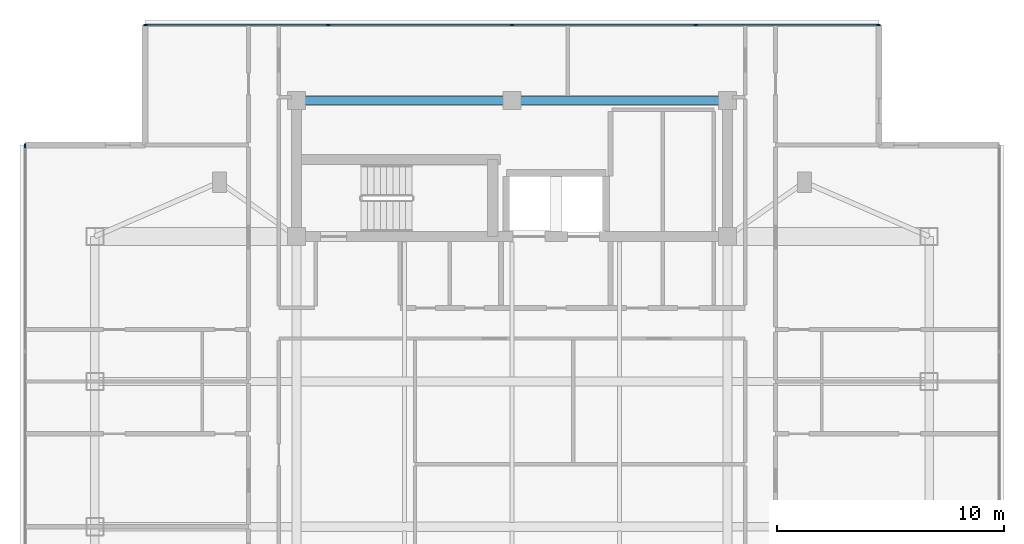
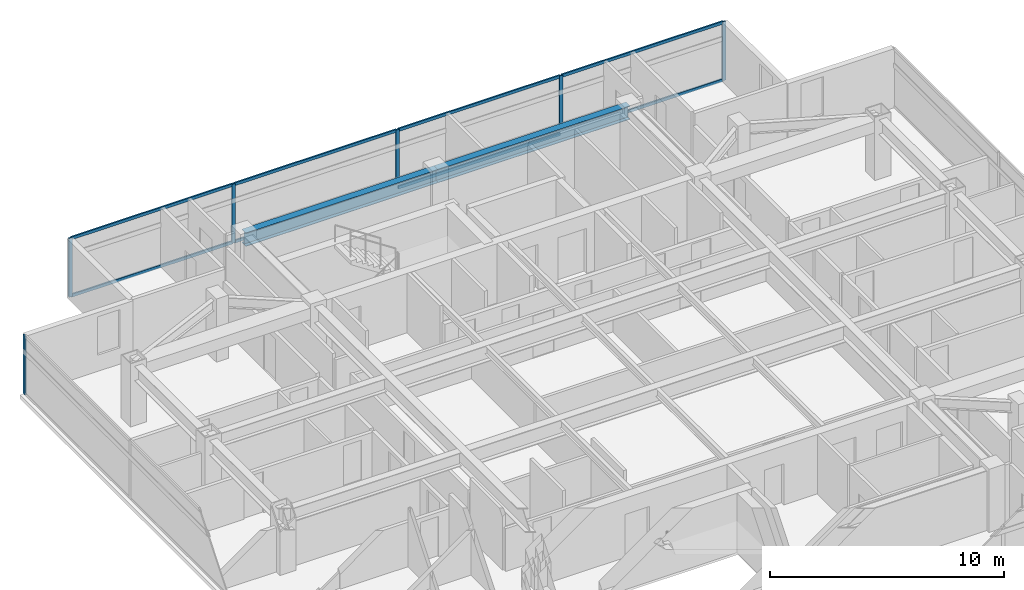
# One storey, part 5 of 14: 14 members, 2 beams, 2 elements without a shape of their own.
"""IFC4 building model written with IfcOpenShell, lengths in metres."""

from ifc_helpers import new_model, si_unit, direction, frame, origin, origin_2d, place, context, subcontext, project, spatial, rectangle, i_section, extrude, material, material_profile, profile_set, type_object, element, aggregate, save


model = new_model("IFC4")

# Units and contexts
model_context = context("Model", 3, precision=1e-05, world=origin(), true_north=direction((0.0, 1.0)))
body_context = subcontext(model_context, "Body", "Model", "MODEL_VIEW")
ifc_project = project(units=[si_unit("LENGTHUNIT", "METRE"), si_unit("AREAUNIT", "SQUARE_METRE"), si_unit("VOLUMEUNIT", "CUBIC_METRE"), si_unit("PLANEANGLEUNIT", "RADIAN"), si_unit("MASSUNIT", "GRAM", prefix="KILO")], contexts=[model_context])

# Site, building, storey
site_placement = place(None, origin())
site = spatial("IfcSite", under=ifc_project, at=site_placement, CompositionType="ELEMENT")
building_placement = place(site_placement, origin())
building = spatial("IfcBuilding", under=site, at=building_placement, Name="Mirazonda Arch Towers", CompositionType="ELEMENT")
storey_placement = place(building_placement, frame((0.0, 0.0, 235.89990234375)))
storey = spatial("IfcBuildingStorey", under=building, at=storey_placement, Name="L67", CompositionType="ELEMENT", Elevation=235.89990234375)

# Beams
ifc_material_1 = material(Name="Steel ASTM A992 Grade 50", Category="steel")
ifc_material_profile_1 = material_profile(ifc_material_1, i_section(OverallWidth=0.35498046875, OverallDepth=0.696044921875, WebThickness=0.015380859375, FlangeThickness=0.02490234375, at=origin_2d()), Name="W27X146")
ifc_profile_set_1 = profile_set([ifc_material_profile_1], Name="Steel ASTM A992 Grade 50")
beam_type = type_object("IfcBeamType", Name="BM-INT-W27X146", PredefinedType="BEAM", material=ifc_profile_set_1)
for number, where, z_axis, x_axis, name in (
    (1, (11.0, 43.60009765625, 2.752197265625), (1.0, 0.0, 0.0), (0.0, 1.0, 0.0), "L67 Floor Beam BM-T1-L67-CN1"),
    (2, (20.5, 43.60009765625, 2.752197265625), (1.0, 0.0, 0.0), (0.0, 1.0, 0.0), "L67 Floor Beam BM-T1-L67-CN2"),
):
    element("IfcBeam", number, at=place(storey_placement, frame(where, z_axis=z_axis, x_axis=x_axis)), inside=storey, type_object=beam_type, Name=name, PredefinedType="BEAM", context=body_context, shape_type="SweptSolid", body=[
        extrude(i_section(OverallWidth=0.35498046875, OverallDepth=0.696044921875, WebThickness=0.015380859375, FlangeThickness=0.02490234375, at=origin_2d()), origin(), (0.0, 0.0, 1.0), 9.5),
    ])

# Curtain wall, members
ifc_material_2 = material(Name="Anodised Aluminium and Low-E Glass", Category="aluminium")
curtain_wall_type = type_object("IfcCurtainWallType", Name="CW-RES-UNIT", PredefinedType="NOTDEFINED", material=ifc_material_2)
curtain_wall_1_placement = place(storey_placement, origin())
curtain_wall_1 = element("IfcCurtainWall", 3, at=curtain_wall_1_placement, inside=storey, type_object=curtain_wall_type, Name="L67 T1 N Facade CW-L67-T1-N", PredefinedType="NOTDEFINED")
ifc_material_3 = material(Name="Anodised Aluminium Alloy", Category="aluminium")
ifc_material_profile_2 = material_profile(ifc_material_3, rectangle(XDim=0.074951171875, YDim=0.175048828125, at=origin_2d()), Name="ALU-MULL-75x175")
ifc_profile_set_2 = profile_set([ifc_material_profile_2], Name="Anodised Aluminium Alloy")
member_type_1 = type_object("IfcMemberType", Name="MULL-CW-RES-UNIT", PredefinedType="MULLION", material=ifc_profile_set_2)
member_1_placement = place(storey_placement, frame((4.347412109375, 46.929931640625, 0.0), z_axis=(0.0, 0.0, 1.0), x_axis=(0.0, 1.0, 0.0)))
member_1 = element("IfcMember", 4, at=member_1_placement, type_object=member_type_1, Name="CW-104 mullion 1", PredefinedType="MULLION", context=body_context, shape_type="SweptSolid", body=[
    extrude(rectangle(XDim=0.074951171875, YDim=0.175048828125, at=origin_2d()), origin(), (0.0, 0.0, 1.0), 3.080078125),
])
member_2_placement = place(storey_placement, frame((12.405029296875, 46.929931640625, 0.0), z_axis=(0.0, 0.0, 1.0), x_axis=(0.0, 1.0, 0.0)))
member_2 = element("IfcMember", 5, at=member_2_placement, type_object=member_type_1, Name="CW-104 mullion 2", PredefinedType="MULLION", context=body_context, shape_type="SweptSolid", body=[
    extrude(rectangle(XDim=0.074951171875, YDim=0.175048828125, at=origin_2d()), origin(), (0.0, 0.0, 1.0), 3.080078125),
])
member_3_placement = place(storey_placement, frame((20.5, 46.929931640625, 0.0), z_axis=(0.0, 0.0, 1.0), x_axis=(0.0, 1.0, 0.0)))
member_3 = element("IfcMember", 6, at=member_3_placement, type_object=member_type_1, Name="CW-104 mullion 3", PredefinedType="MULLION", context=body_context, shape_type="SweptSolid", body=[
    extrude(rectangle(XDim=0.074951171875, YDim=0.175048828125, at=origin_2d()), origin(), (0.0, 0.0, 1.0), 3.080078125),
])
member_4_placement = place(storey_placement, frame((28.594970703125, 46.929931640625, 0.0), z_axis=(0.0, 0.0, 1.0), x_axis=(0.0, 1.0, 0.0)))
member_4 = element("IfcMember", 7, at=member_4_placement, type_object=member_type_1, Name="CW-104 mullion 4", PredefinedType="MULLION", context=body_context, shape_type="SweptSolid", body=[
    extrude(rectangle(XDim=0.074951171875, YDim=0.175048828125, at=origin_2d()), origin(), (0.0, 0.0, 1.0), 3.080078125),
])
member_5_placement = place(storey_placement, frame((36.652587890625, 46.929931640625, 0.0), z_axis=(0.0, 0.0, 1.0), x_axis=(0.0, 1.0, 0.0)))
member_5 = element("IfcMember", 8, at=member_5_placement, type_object=member_type_1, Name="CW-104 mullion 5", PredefinedType="MULLION", context=body_context, shape_type="SweptSolid", body=[
    extrude(rectangle(XDim=0.074951171875, YDim=0.175048828125, at=origin_2d()), origin(), (0.0, 0.0, 1.0), 3.080078125),
])

# Curtain wall, member
curtain_wall_2_placement = place(storey_placement, origin())
curtain_wall_2 = element("IfcCurtainWall", 9, at=curtain_wall_2_placement, inside=storey, type_object=curtain_wall_type, Name="L67 T1 W Facade CW-L67-T1-W", PredefinedType="NOTDEFINED")
member_6_placement = place(storey_placement, frame((-0.97998046875, 41.6025390625, 0.0), z_axis=(0.0, 0.0, 1.0), x_axis=(1.0, 0.0, 0.0)))
member_6 = element("IfcMember", 10, at=member_6_placement, type_object=member_type_1, Name="CW-104 mullion 1", PredefinedType="MULLION", context=body_context, shape_type="SweptSolid", body=[
    extrude(rectangle(XDim=0.074951171875, YDim=0.175048828125, at=origin_2d()), origin(), (0.0, 0.0, 1.0), 3.080078125),
])
aggregate(curtain_wall_2, [member_6])

# Member
ifc_material_profile_3 = material_profile(ifc_material_3, rectangle(XDim=0.074951171875, YDim=0.155029296875, at=origin_2d()), Name="ALU-TRAN-75x155")
ifc_profile_set_3 = profile_set([ifc_material_profile_3], Name="Anodised Aluminium Alloy")
member_type_2 = type_object("IfcMemberType", Name="TRAN-CW-RES-UNIT", PredefinedType="USERDEFINED", material=ifc_profile_set_3)
member_7_placement = place(storey_placement, frame((4.385009765625, 46.929931640625, 0.03759765625), z_axis=(1.0, 0.0, 0.0), x_axis=(0.0, 1.0, 0.0)))
member_7 = element("IfcMember", 11, at=member_7_placement, type_object=member_type_2, Name="CW-104 transom 1.1", ObjectType="TRANSOM", PredefinedType="USERDEFINED", context=body_context, shape_type="SweptSolid", body=[
    extrude(rectangle(XDim=0.074951171875, YDim=0.155029296875, at=origin_2d()), origin(), (0.0, 0.0, 1.0), 7.982421875),
])

member_8_placement = place(storey_placement, frame((4.385009765625, 46.929931640625, 3.04248046875), z_axis=(1.0, 0.0, 0.0), x_axis=(0.0, 1.0, 0.0)))
member_8 = element("IfcMember", 12, at=member_8_placement, type_object=member_type_2, Name="CW-104 transom 1.2", ObjectType="TRANSOM", PredefinedType="USERDEFINED", context=body_context, shape_type="SweptSolid", body=[
    extrude(rectangle(XDim=0.074951171875, YDim=0.155029296875, at=origin_2d()), origin(), (0.0, 0.0, 1.0), 7.982421875),
])

member_9_placement = place(storey_placement, frame((12.4423828125, 46.929931640625, 0.03759765625), z_axis=(1.0, 0.0, 0.0), x_axis=(0.0, 1.0, 0.0)))
member_9 = element("IfcMember", 13, at=member_9_placement, type_object=member_type_2, Name="CW-104 transom 2.1", ObjectType="TRANSOM", PredefinedType="USERDEFINED", context=body_context, shape_type="SweptSolid", body=[
    extrude(rectangle(XDim=0.074951171875, YDim=0.155029296875, at=origin_2d()), origin(), (0.0, 0.0, 1.0), 8.02001953125),
])

member_10_placement = place(storey_placement, frame((12.4423828125, 46.929931640625, 3.04248046875), z_axis=(1.0, 0.0, 0.0), x_axis=(0.0, 1.0, 0.0)))
member_10 = element("IfcMember", 14, at=member_10_placement, type_object=member_type_2, Name="CW-104 transom 2.2", ObjectType="TRANSOM", PredefinedType="USERDEFINED", context=body_context, shape_type="SweptSolid", body=[
    extrude(rectangle(XDim=0.074951171875, YDim=0.155029296875, at=origin_2d()), origin(), (0.0, 0.0, 1.0), 8.02001953125),
])

member_11_placement = place(storey_placement, frame((20.53759765625, 46.929931640625, 0.03759765625), z_axis=(1.0, 0.0, 0.0), x_axis=(0.0, 1.0, 0.0)))
member_11 = element("IfcMember", 15, at=member_11_placement, type_object=member_type_2, Name="CW-104 transom 3.1", ObjectType="TRANSOM", PredefinedType="USERDEFINED", context=body_context, shape_type="SweptSolid", body=[
    extrude(rectangle(XDim=0.074951171875, YDim=0.155029296875, at=origin_2d()), origin(), (0.0, 0.0, 1.0), 8.02001953125),
])

member_12_placement = place(storey_placement, frame((20.53759765625, 46.929931640625, 3.04248046875), z_axis=(1.0, 0.0, 0.0), x_axis=(0.0, 1.0, 0.0)))
member_12 = element("IfcMember", 16, at=member_12_placement, type_object=member_type_2, Name="CW-104 transom 3.2", ObjectType="TRANSOM", PredefinedType="USERDEFINED", context=body_context, shape_type="SweptSolid", body=[
    extrude(rectangle(XDim=0.074951171875, YDim=0.155029296875, at=origin_2d()), origin(), (0.0, 0.0, 1.0), 8.02001953125),
])

member_13_placement = place(storey_placement, frame((28.632568359375, 46.929931640625, 0.03759765625), z_axis=(1.0, 0.0, 0.0), x_axis=(0.0, 1.0, 0.0)))
member_13 = element("IfcMember", 17, at=member_13_placement, type_object=member_type_2, Name="CW-104 transom 4.1", ObjectType="TRANSOM", PredefinedType="USERDEFINED", context=body_context, shape_type="SweptSolid", body=[
    extrude(rectangle(XDim=0.074951171875, YDim=0.155029296875, at=origin_2d()), origin(), (0.0, 0.0, 1.0), 7.982421875),
])

member_14_placement = place(storey_placement, frame((28.632568359375, 46.929931640625, 3.04248046875), z_axis=(1.0, 0.0, 0.0), x_axis=(0.0, 1.0, 0.0)))
member_14 = element("IfcMember", 18, at=member_14_placement, type_object=member_type_2, Name="CW-104 transom 4.2", ObjectType="TRANSOM", PredefinedType="USERDEFINED", context=body_context, shape_type="SweptSolid", body=[
    extrude(rectangle(XDim=0.074951171875, YDim=0.155029296875, at=origin_2d()), origin(), (0.0, 0.0, 1.0), 7.982421875),
])

aggregate(curtain_wall_1, [member_1, member_2, member_3, member_4, member_5, member_7, member_8, member_9, member_10, member_11, member_12, member_13, member_14])

save(model, "model.ifc")
